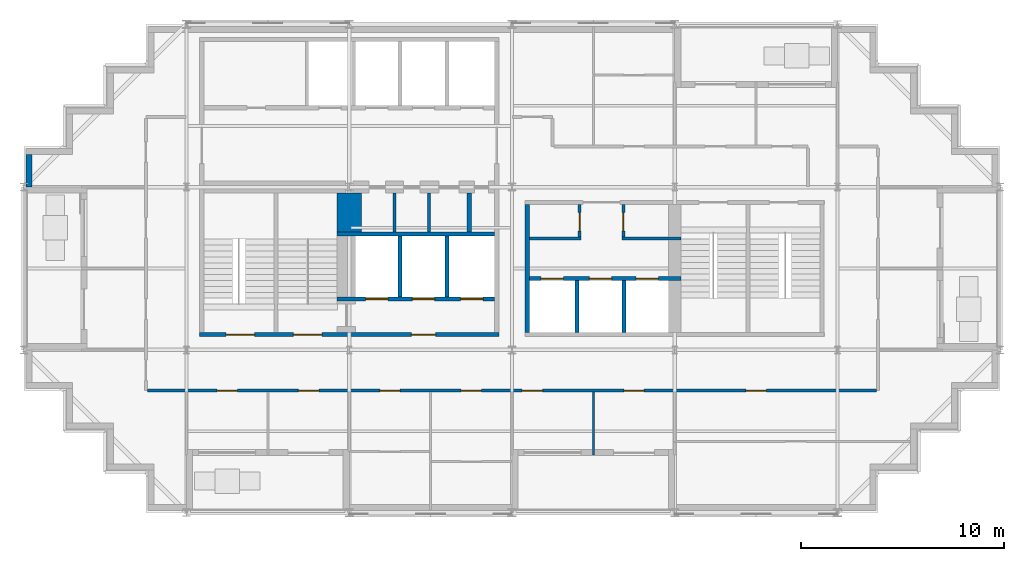
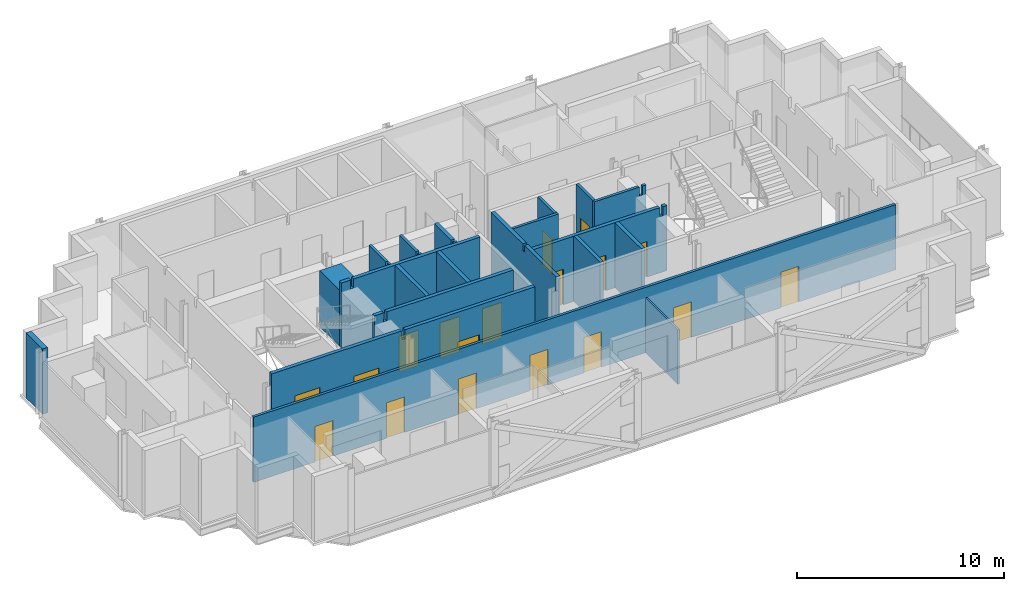
# One storey, part 5 of 10: 20 walls, 18 doors, 18 openings.
"""IFC4 building model written with IfcOpenShell, lengths in metres."""

from ifc_helpers import new_model, si_unit, direction, frame, frame_2d, origin, place, context, subcontext, project, spatial, polyline, rectangle, outline, extrude, material, layer, layer_set, type_object, element, fill, save


model = new_model("IFC4")

# Units and contexts
model_context = context("Model", 3, precision=1e-05, world=origin(), true_north=direction((0.0, 1.0)))
body_context = subcontext(model_context, "Body", "Model", "MODEL_VIEW")
ifc_project = project(units=[si_unit("LENGTHUNIT", "METRE"), si_unit("AREAUNIT", "SQUARE_METRE"), si_unit("VOLUMEUNIT", "CUBIC_METRE"), si_unit("PLANEANGLEUNIT", "RADIAN"), si_unit("MASSUNIT", "GRAM", prefix="KILO")], contexts=[model_context])

# Site, building, storey
site_placement = place(None, origin())
site = spatial("IfcSite", under=ifc_project, at=site_placement, CompositionType="ELEMENT")
building_placement = place(site_placement, origin())
building = spatial("IfcBuilding", under=site, at=building_placement, Name="Immortelle Media Tower", CompositionType="ELEMENT")
storey_placement = place(building_placement, frame((0.0, 0.0, 279.0)))
storey = spatial("IfcBuildingStorey", under=building, at=storey_placement, Name="L61", CompositionType="ELEMENT", Elevation=279.0)

# Walls
ifc_material_1 = material(Name="Fire-rated gypsum board", Category="gypsum")
ifc_layer_1 = layer(ifc_material_1, 0.02490234375)
ifc_material_2 = material(Name="Steel ASTM A653 SS Gr 50 stud frame with mineral wool", Category="steel")
ifc_layer_2 = layer(ifc_material_2, 0.10009765625)
ifc_layer_3 = layer(ifc_material_1, 0.02490234375)
ifc_layer_set_1 = layer_set([ifc_layer_1, ifc_layer_2, ifc_layer_3], Name="Steel ASTM A653 SS Gr 50 stud frame with mineral wool")
wall_type_1 = type_object("IfcWallType", Name="Core partition 150", PredefinedType="PARTITIONING", material=ifc_layer_set_1)
for number, where, z_axis, x_axis, name in (
    (1, (18.22509765625, 13.800048828125, 0.0), (0.0, 0.0, 1.0), (0.0, 1.0, 0.0), "Core partition SW"),
    (2, (19.925048828125, 13.800048828125, 0.0), (0.0, 0.0, 1.0), (0.0, 1.0, 0.0), "Core partition SW"),
):
    element("IfcWall", number, at=place(storey_placement, frame(where, z_axis=z_axis, x_axis=x_axis)), inside=storey, type_object=wall_type_1, Name=name, PredefinedType="PARTITIONING", context=body_context, shape_type="SweptSolid", body=[
        extrude(outline(polyline([(0.0, 0.0), (1.89990234375, 0.0), (1.89990234375, 3.85009765625), (0.27490234375, 3.85009765625), (0.27392578125, 3.43994140625), (0.1259765625, 3.43994140625), (0.125, 3.85009765625), (0.0, 3.85009765625), (0.0, 0.0)])), frame((0.0, 0.074951171875, 0.0), z_axis=(0.0, -1.0, 0.0), x_axis=(1.0, 0.0, 0.0)), (0.0, 0.0, 1.0), 0.14990234375),
    ])
wall_1_placement = place(storey_placement, frame((24.85009765625, 13.47509765625, 0.0), z_axis=(0.0, 0.0, 1.0), x_axis=(1.0, 0.0, 0.0)))
element("IfcWall", 3, at=wall_1_placement, inside=storey, type_object=wall_type_1, Name="Core partition SE", PredefinedType="PARTITIONING", context=body_context, shape_type="SweptSolid", body=[
    extrude(rectangle(XDim=2.5498046875, YDim=0.14990234375, at=frame_2d((1.27490234375, 0.0))), origin(), (0.0, 0.0, 1.0), 3.85009765625),
])

# Wall, opening, door
wall_2_placement = place(storey_placement, frame((27.324951171875, 13.550048828125, 0.0), z_axis=(0.0, 0.0, 1.0), x_axis=(0.0, 1.0, 0.0)))
wall_2 = element("IfcWall", 4, at=wall_2_placement, inside=storey, type_object=wall_type_1, Name="Core partition SE", PredefinedType="PARTITIONING", context=body_context, shape_type="SweptSolid", body=[
    extrude(rectangle(XDim=1.599853515625, YDim=0.14990234375, at=frame_2d((0.7998046875, 0.0))), origin(), (0.0, 0.0, 1.0), 3.85009765625),
])
opening_1_placement = place(wall_2_placement, frame((0.300048828125, 0.0, 0.0)))
opening_1 = element("IfcOpeningElement", 5, at=opening_1_placement, cuts=wall_2, Name="Opening X4-K020", PredefinedType="OPENING", context=body_context, shape_type="SweptSolid", body=[
    extrude(rectangle(XDim=0.89990234375, YDim=2.10009765625, at=frame_2d((0.449951171875, 1.050048828125))), frame((0.0, 0.0849609375, 0.0), z_axis=(0.0, -1.0, 0.0), x_axis=(1.0, 0.0, 0.0)), (0.0, 0.0, 1.0), 0.169921875),
])
ifc_material_3 = material(Name="Galvanised steel door leaf and frame ASTM A653", Category="steel")
door_type_1 = type_object("IfcDoorType", Name="Service door 900 x 2100", OperationType="NOTDEFINED", PredefinedType="NOTDEFINED", material=ifc_material_3)
door_1_placement = place(opening_1_placement, origin())
door_1 = element("IfcDoor", 6, at=door_1_placement, inside=storey, type_object=door_type_1, Name="Service X4-K020", OperationType="SINGLE_SWING_RIGHT", OverallHeight=2.10009765625, OverallWidth=0.89990234375, PredefinedType="NOTDEFINED", context=body_context, shape_type="SweptSolid", body=[
    extrude(rectangle(XDim=0.89990234375, YDim=2.10009765625, at=frame_2d((0.449951171875, 1.050048828125))), frame((0.0, 0.02490234375, 0.0), z_axis=(0.0, -1.0, 0.0), x_axis=(1.0, 0.0, 0.0)), (0.0, 0.0, 1.0), 0.050048828125),
])
fill(opening_1, door_1)

# Wall
wall_3_placement = place(storey_placement, frame((29.39990234375, 13.47509765625, 0.0), z_axis=(0.0, 0.0, 1.0), x_axis=(1.0, 0.0, 0.0)))
element("IfcWall", 7, at=wall_3_placement, inside=storey, type_object=wall_type_1, Name="Core partition SE", PredefinedType="PARTITIONING", context=body_context, shape_type="SweptSolid", body=[
    extrude(outline(polyline([(0.0, 0.0), (2.900146484375, 0.0), (2.89990234375, 3.85009765625), (2.6875, 3.85009765625), (2.6865234375, 3.318115234375), (2.513427734375, 3.318115234375), (2.512451171875, 3.85009765625), (0.0, 3.85009765625), (0.0, 0.0)])), frame((0.0, 0.074951171875, 0.0), z_axis=(0.0, -1.0, 0.0), x_axis=(1.0, 0.0, 0.0)), (0.0, 0.0, 1.0), 0.14990234375),
])

# Wall, opening, door
wall_4_placement = place(storey_placement, frame((29.47509765625, 13.550048828125, 0.0), z_axis=(0.0, 0.0, 1.0), x_axis=(0.0, 1.0, 0.0)))
wall_4 = element("IfcWall", 8, at=wall_4_placement, inside=storey, type_object=wall_type_1, Name="Core partition SE", PredefinedType="PARTITIONING", context=body_context, shape_type="SweptSolid", body=[
    extrude(rectangle(XDim=1.599853515625, YDim=0.14990234375, at=frame_2d((0.7998046875, 0.0))), origin(), (0.0, 0.0, 1.0), 3.85009765625),
])
opening_2_placement = place(wall_4_placement, frame((1.199951171875, 0.0, 0.0), z_axis=(0.0, 0.0, 1.0), x_axis=(-1.0, 0.0, 0.0)))
opening_2 = element("IfcOpeningElement", 9, at=opening_2_placement, cuts=wall_4, Name="Opening X4-K023", PredefinedType="OPENING", context=body_context, shape_type="SweptSolid", body=[
    extrude(rectangle(XDim=0.89990234375, YDim=2.10009765625, at=frame_2d((0.449951171875, 1.050048828125))), frame((0.0, 0.0849609375, 0.0), z_axis=(0.0, -1.0, 0.0), x_axis=(1.0, 0.0, 0.0)), (0.0, 0.0, 1.0), 0.169921875),
])
ifc_material_4 = material(Name="Timber", Category="wood")
door_type_2 = type_object("IfcDoorType", Name="Room door 900 x 2100", OperationType="NOTDEFINED", PredefinedType="NOTDEFINED", material=ifc_material_4)
door_2_placement = place(opening_2_placement, origin())
door_2 = element("IfcDoor", 10, at=door_2_placement, inside=storey, type_object=door_type_2, Name="Room X4-K023", OperationType="SINGLE_SWING_RIGHT", OverallHeight=2.10009765625, OverallWidth=0.89990234375, PredefinedType="NOTDEFINED", context=body_context, shape_type="SweptSolid", body=[
    extrude(rectangle(XDim=0.89990234375, YDim=2.10009765625, at=frame_2d((0.449951171875, 1.050048828125))), frame((0.0, 0.02490234375, 0.0), z_axis=(0.0, -1.0, 0.0), x_axis=(1.0, 0.0, 0.0)), (0.0, 0.0, 1.0), 0.050048828125),
])
fill(opening_2, door_2)

# Wall, openings, doors
ifc_layer_4 = layer(ifc_material_1, 0.03759765625)
ifc_layer_5 = layer(ifc_material_2, 0.125)
ifc_layer_6 = layer(ifc_material_1, 0.03759765625)
ifc_layer_set_2 = layer_set([ifc_layer_4, ifc_layer_5, ifc_layer_6], Name="Steel ASTM A653 SS Gr 50 stud frame with mineral wool")
wall_type_2 = type_object("IfcWallType", Name="Core shaft wall 200", PredefinedType="PARTITIONING", material=ifc_layer_set_2)
wall_5_placement = place(storey_placement, frame((15.39990234375, 10.5, 0.0), z_axis=(0.0, 0.0, 1.0), x_axis=(1.0, 0.0, 0.0)))
wall_5 = element("IfcWall", 11, at=wall_5_placement, inside=storey, type_object=wall_type_2, Name="Core shaft wall SW", PredefinedType="PARTITIONING", context=body_context, shape_type="SweptSolid", body=[
    extrude(outline(polyline([(0.0, 0.0), (7.75, 0.0), (7.75, 3.85009765625), (0.6875, 3.85009765625), (0.6865234375, 3.318115234375), (0.513427734375, 3.318115234375), (0.512451171875, 3.85009765625), (0.0, 3.85009765625), (0.0, 0.0)])), frame((0.0, 0.10009765625, 0.0), z_axis=(0.0, -1.0, 0.0), x_axis=(1.0, 0.0, 0.0)), (0.0, 0.0, 1.0), 0.199951171875),
])
opening_3_placement = place(wall_5_placement, frame((1.39990234375, 0.0, 0.0)))
opening_3 = element("IfcOpeningElement", 12, at=opening_3_placement, cuts=wall_5, Name="Opening LD", PredefinedType="OPENING", context=body_context, shape_type="SweptSolid", body=[
    extrude(rectangle(XDim=1.10009765625, YDim=2.10009765625, at=frame_2d((0.550048828125, 1.050048828125))), frame((0.0, 0.10986328125, 0.0), z_axis=(0.0, -1.0, 0.0), x_axis=(1.0, 0.0, 0.0)), (0.0, 0.0, 1.0), 0.219970703125),
])
opening_4_placement = place(wall_5_placement, frame((3.699951171875, 0.0, 0.0)))
opening_4 = element("IfcOpeningElement", 13, at=opening_4_placement, cuts=wall_5, Name="Opening LD", PredefinedType="OPENING", context=body_context, shape_type="SweptSolid", body=[
    extrude(rectangle(XDim=1.10009765625, YDim=2.10009765625, at=frame_2d((0.550048828125, 1.050048828125))), frame((0.0, 0.10986328125, 0.0), z_axis=(0.0, -1.0, 0.0), x_axis=(1.0, 0.0, 0.0)), (0.0, 0.0, 1.0), 0.219970703125),
])
opening_5_placement = place(wall_5_placement, frame((6.074951171875, 0.0, 0.0)))
opening_5 = element("IfcOpeningElement", 14, at=opening_5_placement, cuts=wall_5, Name="Opening LD", PredefinedType="OPENING", context=body_context, shape_type="SweptSolid", body=[
    extrude(rectangle(XDim=1.10009765625, YDim=2.10009765625, at=frame_2d((0.550048828125, 1.050048828125))), frame((0.0, 0.10986328125, 0.0), z_axis=(0.0, -1.0, 0.0), x_axis=(1.0, 0.0, 0.0)), (0.0, 0.0, 1.0), 0.219970703125),
])
ifc_material_5 = material(Name="Stainless steel AISI 304", Category="steel")
door_type_3 = type_object("IfcDoorType", Name="Landing door 1100 x 2100", OperationType="SLIDING_TO_LEFT", PredefinedType="NOTDEFINED", material=ifc_material_5)
door_3_placement = place(opening_3_placement, origin())
door_3 = element("IfcDoor", 15, at=door_3_placement, inside=storey, type_object=door_type_3, Name="Landing door FF1 L61", OperationType="SLIDING_TO_LEFT", OverallHeight=2.10009765625, OverallWidth=1.10009765625, PredefinedType="NOTDEFINED", context=body_context, shape_type="SweptSolid", body=[
    extrude(rectangle(XDim=1.10009765625, YDim=2.10009765625, at=frame_2d((0.550048828125, 1.050048828125))), frame((0.0, 0.02490234375, 0.0), z_axis=(0.0, -1.0, 0.0), x_axis=(1.0, 0.0, 0.0)), (0.0, 0.0, 1.0), 0.050048828125),
])
fill(opening_3, door_3)
door_4_placement = place(opening_4_placement, origin())
door_4 = element("IfcDoor", 16, at=door_4_placement, inside=storey, type_object=door_type_3, Name="Landing door FF2 L61", OperationType="SLIDING_TO_LEFT", OverallHeight=2.10009765625, OverallWidth=1.10009765625, PredefinedType="NOTDEFINED", context=body_context, shape_type="SweptSolid", body=[
    extrude(rectangle(XDim=1.10009765625, YDim=2.10009765625, at=frame_2d((0.550048828125, 1.050048828125))), frame((0.0, 0.02490234375, 0.0), z_axis=(0.0, -1.0, 0.0), x_axis=(1.0, 0.0, 0.0)), (0.0, 0.0, 1.0), 0.050048828125),
])
fill(opening_4, door_4)
door_5_placement = place(opening_5_placement, origin())
door_5 = element("IfcDoor", 17, at=door_5_placement, inside=storey, type_object=door_type_3, Name="Landing door FF3 L61", OperationType="SLIDING_TO_LEFT", OverallHeight=2.10009765625, OverallWidth=1.10009765625, PredefinedType="NOTDEFINED", context=body_context, shape_type="SweptSolid", body=[
    extrude(rectangle(XDim=1.10009765625, YDim=2.10009765625, at=frame_2d((0.550048828125, 1.050048828125))), frame((0.0, 0.02490234375, 0.0), z_axis=(0.0, -1.0, 0.0), x_axis=(1.0, 0.0, 0.0)), (0.0, 0.0, 1.0), 0.050048828125),
])
fill(opening_5, door_5)

# Walls
wall_6_placement = place(storey_placement, frame((15.39990234375, 13.699951171875, 0.0), z_axis=(0.0, 0.0, 1.0), x_axis=(1.0, 0.0, 0.0)))
element("IfcWall", 18, at=wall_6_placement, inside=storey, type_object=wall_type_2, Name="Core shaft wall SW", PredefinedType="PARTITIONING", context=body_context, shape_type="SweptSolid", body=[
    extrude(outline(polyline([(0.0, 0.0), (7.75, 0.0), (7.75, 3.85009765625), (0.6875, 3.85009765625), (0.6865234375, 3.318115234375), (0.513427734375, 3.318115234375), (0.512451171875, 3.85009765625), (0.0, 3.85009765625), (0.0, 0.0)])), frame((0.0, 0.10009765625, 0.0), z_axis=(0.0, -1.0, 0.0), x_axis=(1.0, 0.0, 0.0)), (0.0, 0.0, 1.0), 0.199951171875),
])
for number, where, z_axis, x_axis, name in (
    (19, (18.5, 10.60009765625, 0.0), (0.0, 0.0, 1.0), (0.0, 1.0, 0.0), "Core shaft wall SW"),
    (20, (20.800048828125, 10.60009765625, 0.0), (0.0, 0.0, 1.0), (0.0, 1.0, 0.0), "Core shaft wall SW"),
):
    element("IfcWall", number, at=place(storey_placement, frame(where, z_axis=z_axis, x_axis=x_axis)), inside=storey, type_object=wall_type_2, Name=name, PredefinedType="PARTITIONING", context=body_context, shape_type="SweptSolid", body=[
        extrude(rectangle(XDim=3.0, YDim=0.199951171875, at=frame_2d((1.5, 0.0))), origin(), (0.0, 0.0, 1.0), 3.85009765625),
    ])
wall_7_placement = place(storey_placement, frame((21.89990234375, 13.800048828125, 0.0), z_axis=(0.0, 0.0, 1.0), x_axis=(0.0, 1.0, 0.0)))
element("IfcWall", 21, at=wall_7_placement, inside=storey, type_object=wall_type_2, Name="Core shaft wall SW", PredefinedType="PARTITIONING", context=body_context, shape_type="SweptSolid", body=[
    extrude(outline(polyline([(0.0, 0.0), (1.89990234375, 0.0), (1.89990234375, 3.85009765625), (0.27490234375, 3.85009765625), (0.27392578125, 3.43994140625), (0.1259765625, 3.43994140625), (0.125, 3.85009765625), (0.0, 3.85009765625), (0.0, 0.0)])), frame((0.0, 0.10009765625, 0.0), z_axis=(0.0, -1.0, 0.0), x_axis=(1.0, 0.0, 0.0)), (0.0, 0.0, 1.0), 0.199951171875),
])
wall_8_placement = place(storey_placement, frame((24.75, 8.85009765625, 0.0), z_axis=(0.0, 0.0, 1.0), x_axis=(0.0, 1.0, 0.0)))
element("IfcWall", 22, at=wall_8_placement, inside=storey, type_object=wall_type_2, Name="Core shaft wall SE", PredefinedType="PARTITIONING", context=body_context, shape_type="SweptSolid", body=[
    extrude(outline(polyline([(0.0, 0.0), (6.2998046875, 0.0), (6.300048828125, 3.85009765625), (3.22509765625, 3.85009765625), (3.22412109375, 3.43994140625), (3.075927734375, 3.43994140625), (3.074951171875, 3.85009765625), (0.0, 3.85009765625), (0.0, 0.0)])), frame((0.0, 0.10009765625, 0.0), z_axis=(0.0, -1.0, 0.0), x_axis=(1.0, 0.0, 0.0)), (0.0, 0.0, 1.0), 0.199951171875),
])

# Wall, openings, doors
wall_9_placement = place(storey_placement, frame((24.85009765625, 11.5, 0.0), z_axis=(0.0, 0.0, 1.0), x_axis=(1.0, 0.0, 0.0)))
wall_9 = element("IfcWall", 23, at=wall_9_placement, inside=storey, type_object=wall_type_2, Name="Core shaft wall SE", PredefinedType="PARTITIONING", context=body_context, shape_type="SweptSolid", body=[
    extrude(outline(polyline([(0.0, 0.0), (7.449951171875, 0.0), (7.449951171875, 3.85009765625), (7.237548828125, 3.85009765625), (7.236572265625, 3.318115234375), (7.0634765625, 3.318115234375), (7.0625, 3.85009765625), (0.0, 3.85009765625), (0.0, 0.0)])), frame((0.0, 0.10009765625, 0.0), z_axis=(0.0, -1.0, 0.0), x_axis=(1.0, 0.0, 0.0)), (0.0, 0.0, 1.0), 0.199951171875),
])
opening_6_placement = place(wall_9_placement, frame((0.574951171875, 0.0, 0.0)))
opening_6 = element("IfcOpeningElement", 24, at=opening_6_placement, cuts=wall_9, Name="Opening LD", PredefinedType="OPENING", context=body_context, shape_type="SweptSolid", body=[
    extrude(rectangle(XDim=1.10009765625, YDim=2.10009765625, at=frame_2d((0.550048828125, 1.050048828125))), frame((0.0, 0.10986328125, 0.0), z_axis=(0.0, -1.0, 0.0), x_axis=(1.0, 0.0, 0.0)), (0.0, 0.0, 1.0), 0.219970703125),
])
opening_7_placement = place(wall_9_placement, frame((2.949951171875, 0.0, 0.0)))
opening_7 = element("IfcOpeningElement", 25, at=opening_7_placement, cuts=wall_9, Name="Opening LD", PredefinedType="OPENING", context=body_context, shape_type="SweptSolid", body=[
    extrude(rectangle(XDim=1.10009765625, YDim=2.10009765625, at=frame_2d((0.550048828125, 1.050048828125))), frame((0.0, 0.10986328125, 0.0), z_axis=(0.0, -1.0, 0.0), x_axis=(1.0, 0.0, 0.0)), (0.0, 0.0, 1.0), 0.219970703125),
])
opening_8_placement = place(wall_9_placement, frame((5.25, 0.0, 0.0)))
opening_8 = element("IfcOpeningElement", 26, at=opening_8_placement, cuts=wall_9, Name="Opening LD", PredefinedType="OPENING", context=body_context, shape_type="SweptSolid", body=[
    extrude(rectangle(XDim=1.10009765625, YDim=2.10009765625, at=frame_2d((0.550048828125, 1.050048828125))), frame((0.0, 0.10986328125, 0.0), z_axis=(0.0, -1.0, 0.0), x_axis=(1.0, 0.0, 0.0)), (0.0, 0.0, 1.0), 0.219970703125),
])
door_6_placement = place(opening_6_placement, origin())
door_6 = element("IfcDoor", 27, at=door_6_placement, inside=storey, type_object=door_type_3, Name="Landing door HS1 L61", OperationType="SLIDING_TO_LEFT", OverallHeight=2.10009765625, OverallWidth=1.10009765625, PredefinedType="NOTDEFINED", context=body_context, shape_type="SweptSolid", body=[
    extrude(rectangle(XDim=1.10009765625, YDim=2.10009765625, at=frame_2d((0.550048828125, 1.050048828125))), frame((0.0, 0.02490234375, 0.0), z_axis=(0.0, -1.0, 0.0), x_axis=(1.0, 0.0, 0.0)), (0.0, 0.0, 1.0), 0.050048828125),
])
fill(opening_6, door_6)
door_7_placement = place(opening_7_placement, origin())
door_7 = element("IfcDoor", 28, at=door_7_placement, inside=storey, type_object=door_type_3, Name="Landing door HS2 L61", OperationType="SLIDING_TO_LEFT", OverallHeight=2.10009765625, OverallWidth=1.10009765625, PredefinedType="NOTDEFINED", context=body_context, shape_type="SweptSolid", body=[
    extrude(rectangle(XDim=1.10009765625, YDim=2.10009765625, at=frame_2d((0.550048828125, 1.050048828125))), frame((0.0, 0.02490234375, 0.0), z_axis=(0.0, -1.0, 0.0), x_axis=(1.0, 0.0, 0.0)), (0.0, 0.0, 1.0), 0.050048828125),
])
fill(opening_7, door_7)
door_8_placement = place(opening_8_placement, origin())
door_8 = element("IfcDoor", 29, at=door_8_placement, inside=storey, type_object=door_type_3, Name="Landing door HS3 L61", OperationType="SLIDING_TO_LEFT", OverallHeight=2.10009765625, OverallWidth=1.10009765625, PredefinedType="NOTDEFINED", context=body_context, shape_type="SweptSolid", body=[
    extrude(rectangle(XDim=1.10009765625, YDim=2.10009765625, at=frame_2d((0.550048828125, 1.050048828125))), frame((0.0, 0.02490234375, 0.0), z_axis=(0.0, -1.0, 0.0), x_axis=(1.0, 0.0, 0.0)), (0.0, 0.0, 1.0), 0.050048828125),
])
fill(opening_8, door_8)

# Walls
for number, where, z_axis, x_axis, name in (
    (30, (27.199951171875, 8.85009765625, 0.0), (0.0, 0.0, 1.0), (0.0, 1.0, 0.0), "Core shaft wall SE"),
    (31, (29.5, 8.85009765625, 0.0), (0.0, 0.0, 1.0), (0.0, 1.0, 0.0), "Core shaft wall SE"),
):
    element("IfcWall", number, at=place(storey_placement, frame(where, z_axis=z_axis, x_axis=x_axis)), inside=storey, type_object=wall_type_2, Name=name, PredefinedType="PARTITIONING", context=body_context, shape_type="SweptSolid", body=[
        extrude(rectangle(XDim=2.5498046875, YDim=0.199951171875, at=frame_2d((1.27490234375, 0.0))), origin(), (0.0, 0.0, 1.0), 3.85009765625),
    ])

# Wall, openings, doors
ifc_layer_7 = layer(ifc_material_1, 0.012451171875)
ifc_layer_8 = layer(ifc_material_2, 0.125)
ifc_layer_9 = layer(ifc_material_1, 0.012451171875)
ifc_layer_set_3 = layer_set([ifc_layer_7, ifc_layer_8, ifc_layer_9], Name="Steel ASTM A653 SS Gr 50 stud frame with mineral wool")
wall_type_3 = type_object("IfcWallType", Name="Corridor wall 150", PredefinedType="PARTITIONING", material=ifc_layer_set_3)
wall_10_placement = place(storey_placement, frame((6.074951171875, 6.0, 0.0), z_axis=(0.0, 0.0, 1.0), x_axis=(1.0, 0.0, 0.0)))
wall_10 = element("IfcWall", 32, at=wall_10_placement, inside=storey, type_object=wall_type_3, Name="Partition L61-014", PredefinedType="PARTITIONING", context=body_context, shape_type="SweptSolid", body=[
    extrude(rectangle(XDim=35.85009765625, YDim=0.14990234375, at=frame_2d((17.925048828125, 0.0))), origin(), (0.0, 0.0, 1.0), 3.85009765625),
])
opening_9_placement = place(wall_10_placement, frame((12.425048828125, 0.0, 0.0), z_axis=(0.0, 0.0, 1.0), x_axis=(-1.0, 0.0, 0.0)))
opening_9 = element("IfcOpeningElement", 33, at=opening_9_placement, cuts=wall_10, Name="Opening X4-F001", PredefinedType="OPENING", context=body_context, shape_type="SweptSolid", body=[
    extrude(rectangle(XDim=1.0, YDim=2.10009765625, at=frame_2d((0.5, 1.050048828125))), frame((0.0, 0.0849609375, 0.0), z_axis=(0.0, -1.0, 0.0), x_axis=(1.0, 0.0, 0.0)), (0.0, 0.0, 1.0), 0.169921875),
])
opening_10_placement = place(wall_10_placement, frame((16.425048828125, 0.0, 0.0), z_axis=(0.0, 0.0, 1.0), x_axis=(-1.0, 0.0, 0.0)))
opening_10 = element("IfcOpeningElement", 34, at=opening_10_placement, cuts=wall_10, Name="Opening X4-F003", PredefinedType="OPENING", context=body_context, shape_type="SweptSolid", body=[
    extrude(rectangle(XDim=1.0, YDim=2.10009765625, at=frame_2d((0.5, 1.050048828125))), frame((0.0, 0.0849609375, 0.0), z_axis=(0.0, -1.0, 0.0), x_axis=(1.0, 0.0, 0.0)), (0.0, 0.0, 1.0), 0.169921875),
])
opening_11_placement = place(wall_10_placement, frame((30.425048828125, 0.0, 0.0), z_axis=(0.0, 0.0, 1.0), x_axis=(-1.0, 0.0, 0.0)))
opening_11 = element("IfcOpeningElement", 35, at=opening_11_placement, cuts=wall_10, Name="Opening X4-F005", PredefinedType="OPENING", context=body_context, shape_type="SweptSolid", body=[
    extrude(rectangle(XDim=1.0, YDim=2.10009765625, at=frame_2d((0.5, 1.050048828125))), frame((0.0, 0.0849609375, 0.0), z_axis=(0.0, -1.0, 0.0), x_axis=(1.0, 0.0, 0.0)), (0.0, 0.0, 1.0), 0.169921875),
])
opening_12_placement = place(wall_10_placement, frame((4.425048828125, 0.0, 0.0), z_axis=(0.0, 0.0, 1.0), x_axis=(-1.0, 0.0, 0.0)))
opening_12 = element("IfcOpeningElement", 36, at=opening_12_placement, cuts=wall_10, Name="Opening X4-F007", PredefinedType="OPENING", context=body_context, shape_type="SweptSolid", body=[
    extrude(rectangle(XDim=1.0, YDim=2.10009765625, at=frame_2d((0.5, 1.050048828125))), frame((0.0, 0.0849609375, 0.0), z_axis=(0.0, -1.0, 0.0), x_axis=(1.0, 0.0, 0.0)), (0.0, 0.0, 1.0), 0.169921875),
])
opening_13_placement = place(wall_10_placement, frame((8.425048828125, 0.0, 0.0), z_axis=(0.0, 0.0, 1.0), x_axis=(-1.0, 0.0, 0.0)))
opening_13 = element("IfcOpeningElement", 37, at=opening_13_placement, cuts=wall_10, Name="Opening X4-F008", PredefinedType="OPENING", context=body_context, shape_type="SweptSolid", body=[
    extrude(rectangle(XDim=1.0, YDim=2.10009765625, at=frame_2d((0.5, 1.050048828125))), frame((0.0, 0.0849609375, 0.0), z_axis=(0.0, -1.0, 0.0), x_axis=(1.0, 0.0, 0.0)), (0.0, 0.0, 1.0), 0.169921875),
])
opening_14_placement = place(wall_10_placement, frame((19.425048828125, 0.0, 0.0), z_axis=(0.0, 0.0, 1.0), x_axis=(-1.0, 0.0, 0.0)))
opening_14 = element("IfcOpeningElement", 38, at=opening_14_placement, cuts=wall_10, Name="Opening X4-F009", PredefinedType="OPENING", context=body_context, shape_type="SweptSolid", body=[
    extrude(rectangle(XDim=1.0, YDim=2.10009765625, at=frame_2d((0.5, 1.050048828125))), frame((0.0, 0.0849609375, 0.0), z_axis=(0.0, -1.0, 0.0), x_axis=(1.0, 0.0, 0.0)), (0.0, 0.0, 1.0), 0.169921875),
])
opening_15_placement = place(wall_10_placement, frame((24.425048828125, 0.0, 0.0), z_axis=(0.0, 0.0, 1.0), x_axis=(-1.0, 0.0, 0.0)))
opening_15 = element("IfcOpeningElement", 39, at=opening_15_placement, cuts=wall_10, Name="Opening X4-F010", PredefinedType="OPENING", context=body_context, shape_type="SweptSolid", body=[
    extrude(rectangle(XDim=1.0, YDim=2.10009765625, at=frame_2d((0.5, 1.050048828125))), frame((0.0, 0.0849609375, 0.0), z_axis=(0.0, -1.0, 0.0), x_axis=(1.0, 0.0, 0.0)), (0.0, 0.0, 1.0), 0.169921875),
])
ifc_material_6 = material(Name="Timber veneered door leaf, galvanised steel frame ASTM A653", Category="steel")
door_type_4 = type_object("IfcDoorType", Name="Room door 1000 x 2100", OperationType="NOTDEFINED", PredefinedType="DOOR", material=ifc_material_6)
door_9_placement = place(opening_9_placement, origin())
door_9 = element("IfcDoor", 40, at=door_9_placement, inside=storey, type_object=door_type_4, Name="Door X4-F001", OperationType="SINGLE_SWING_LEFT", OverallHeight=2.10009765625, OverallWidth=1.0, PredefinedType="DOOR", context=body_context, shape_type="SweptSolid", body=[
    extrude(rectangle(XDim=1.0, YDim=2.10009765625, at=frame_2d((0.5, 1.050048828125))), frame((0.0, 0.02490234375, 0.0), z_axis=(0.0, -1.0, 0.0), x_axis=(1.0, 0.0, 0.0)), (0.0, 0.0, 1.0), 0.050048828125),
])
fill(opening_9, door_9)
door_10_placement = place(opening_10_placement, origin())
door_10 = element("IfcDoor", 41, at=door_10_placement, inside=storey, type_object=door_type_4, Name="Door X4-F003", OperationType="SINGLE_SWING_RIGHT", OverallHeight=2.10009765625, OverallWidth=1.0, PredefinedType="DOOR", context=body_context, shape_type="SweptSolid", body=[
    extrude(rectangle(XDim=1.0, YDim=2.10009765625, at=frame_2d((0.5, 1.050048828125))), frame((0.0, 0.02490234375, 0.0), z_axis=(0.0, -1.0, 0.0), x_axis=(1.0, 0.0, 0.0)), (0.0, 0.0, 1.0), 0.050048828125),
])
fill(opening_10, door_10)
door_11_placement = place(opening_11_placement, origin())
door_11 = element("IfcDoor", 42, at=door_11_placement, inside=storey, type_object=door_type_4, Name="Door X4-F005", OperationType="SINGLE_SWING_RIGHT", OverallHeight=2.10009765625, OverallWidth=1.0, PredefinedType="DOOR", context=body_context, shape_type="SweptSolid", body=[
    extrude(rectangle(XDim=1.0, YDim=2.10009765625, at=frame_2d((0.5, 1.050048828125))), frame((0.0, 0.02490234375, 0.0), z_axis=(0.0, -1.0, 0.0), x_axis=(1.0, 0.0, 0.0)), (0.0, 0.0, 1.0), 0.050048828125),
])
fill(opening_11, door_11)
door_12_placement = place(opening_12_placement, origin())
door_12 = element("IfcDoor", 43, at=door_12_placement, inside=storey, type_object=door_type_4, Name="Door X4-F007", OperationType="SINGLE_SWING_LEFT", OverallHeight=2.10009765625, OverallWidth=1.0, PredefinedType="DOOR", context=body_context, shape_type="SweptSolid", body=[
    extrude(rectangle(XDim=1.0, YDim=2.10009765625, at=frame_2d((0.5, 1.050048828125))), frame((0.0, 0.02490234375, 0.0), z_axis=(0.0, -1.0, 0.0), x_axis=(1.0, 0.0, 0.0)), (0.0, 0.0, 1.0), 0.050048828125),
])
fill(opening_12, door_12)
door_13_placement = place(opening_13_placement, origin())
door_13 = element("IfcDoor", 44, at=door_13_placement, inside=storey, type_object=door_type_4, Name="Door X4-F008", OperationType="SINGLE_SWING_LEFT", OverallHeight=2.10009765625, OverallWidth=1.0, PredefinedType="DOOR", context=body_context, shape_type="SweptSolid", body=[
    extrude(rectangle(XDim=1.0, YDim=2.10009765625, at=frame_2d((0.5, 1.050048828125))), frame((0.0, 0.02490234375, 0.0), z_axis=(0.0, -1.0, 0.0), x_axis=(1.0, 0.0, 0.0)), (0.0, 0.0, 1.0), 0.050048828125),
])
fill(opening_13, door_13)
door_14_placement = place(opening_14_placement, origin())
door_14 = element("IfcDoor", 45, at=door_14_placement, inside=storey, type_object=door_type_4, Name="Door X4-F009", OperationType="SINGLE_SWING_RIGHT", OverallHeight=2.10009765625, OverallWidth=1.0, PredefinedType="DOOR", context=body_context, shape_type="SweptSolid", body=[
    extrude(rectangle(XDim=1.0, YDim=2.10009765625, at=frame_2d((0.5, 1.050048828125))), frame((0.0, 0.02490234375, 0.0), z_axis=(0.0, -1.0, 0.0), x_axis=(1.0, 0.0, 0.0)), (0.0, 0.0, 1.0), 0.050048828125),
])
fill(opening_14, door_14)
door_15_placement = place(opening_15_placement, origin())
door_15 = element("IfcDoor", 46, at=door_15_placement, inside=storey, type_object=door_type_4, Name="Door X4-F010", OperationType="SINGLE_SWING_RIGHT", OverallHeight=2.10009765625, OverallWidth=1.0, PredefinedType="DOOR", context=body_context, shape_type="SweptSolid", body=[
    extrude(rectangle(XDim=1.0, YDim=2.10009765625, at=frame_2d((0.5, 1.050048828125))), frame((0.0, 0.02490234375, 0.0), z_axis=(0.0, -1.0, 0.0), x_axis=(1.0, 0.0, 0.0)), (0.0, 0.0, 1.0), 0.050048828125),
])
fill(opening_15, door_15)

# Walls
ifc_material_7 = material(Name="Pale aluminium cladding panel", Category="aluminium")
ifc_layer_10 = layer(ifc_material_7, 0.030029296875)
ifc_layer_11 = layer(ifc_material_2, 0.257568359375)
ifc_material_8 = material(Name="Moisture-resistant gypsum board", Category="gypsum")
ifc_layer_12 = layer(ifc_material_8, 0.012451171875)
ifc_layer_set_4 = layer_set([ifc_layer_10, ifc_layer_11, ifc_layer_12], Name="Steel ASTM A653 SS Gr 50 stud frame with mineral wool")
wall_type_4 = type_object("IfcWallType", Name="Facade wall 300", PredefinedType="SOLIDWALL", material=ifc_layer_set_4)
wall_11_placement = place(storey_placement, frame((0.25, 17.60009765625, 0.0), z_axis=(0.0, 0.0, 1.0), x_axis=(0.0, -1.0, 0.0)))
element("IfcWall", 47, at=wall_11_placement, inside=storey, type_object=wall_type_4, Name="Facade wall L61 W27", PredefinedType="SOLIDWALL", context=body_context, shape_type="SweptSolid", body=[
    extrude(rectangle(XDim=1.60009765625, YDim=0.300048828125, at=frame_2d((0.800048828125, 0.0))), origin(), (0.0, 0.0, 1.0), 3.85009765625),
])
ifc_material_9 = material(Name="Gypsum board", Category="gypsum")
ifc_layer_13 = layer(ifc_material_9, 0.012451171875)
ifc_layer_14 = layer(ifc_material_2, 0.074951171875)
ifc_layer_15 = layer(ifc_material_9, 0.012451171875)
ifc_layer_set_5 = layer_set([ifc_layer_13, ifc_layer_14, ifc_layer_15], Name="Steel ASTM A653 SS Gr 50 stud frame with mineral wool")
wall_type_5 = type_object("IfcWallType", Name="Partition 100", PredefinedType="PARTITIONING", material=ifc_layer_set_5)
wall_12_placement = place(storey_placement, frame((28.0, 2.830078125, 0.0), z_axis=(0.0, 0.0, 1.0), x_axis=(0.0, 1.0, 0.0)))
element("IfcWall", 48, at=wall_12_placement, inside=storey, type_object=wall_type_5, Name="Partition L61-007", PredefinedType="PARTITIONING", context=body_context, shape_type="SweptSolid", body=[
    extrude(rectangle(XDim=3.094970703125, YDim=0.10009765625, at=frame_2d((1.54736328125, 0.0))), origin(), (0.0, 0.0, 1.0), 3.238037109375),
])
ifc_material_10 = material(Name="Concrete C60", Category="concrete")
ifc_layer_16 = layer(ifc_material_10, 1.199951171875)
ifc_layer_set_6 = layer_set([ifc_layer_16], Name="Concrete C60")
wall_type_6 = type_object("IfcWallType", Name="Stair shaft wall 1200", PredefinedType="PARTITIONING", material=ifc_layer_set_6)
wall_13_placement = place(storey_placement, frame((16.0, 13.800048828125, 0.0), z_axis=(0.0, 0.0, 1.0), x_axis=(0.0, 1.0, 0.0)))
element("IfcWall", 49, at=wall_13_placement, inside=storey, type_object=wall_type_6, Name="Stair shaft wall SW", PredefinedType="PARTITIONING", context=body_context, shape_type="SweptSolid", body=[
    extrude(rectangle(XDim=1.89990234375, YDim=1.199951171875, at=frame_2d((0.949951171875, 0.0))), origin(), (0.0, 0.0, 1.0), 3.318115234375),
])

# Wall, openings, doors
ifc_layer_17 = layer(ifc_material_10, 0.199951171875)
ifc_layer_set_7 = layer_set([ifc_layer_17], Name="Concrete C60")
wall_type_7 = type_object("IfcWallType", Name="Stair shaft wall 200", PredefinedType="PARTITIONING", material=ifc_layer_set_7)
wall_14_placement = place(storey_placement, frame((8.64990234375, 8.75, 0.0), z_axis=(0.0, 0.0, 1.0), x_axis=(1.0, 0.0, 0.0)))
wall_14 = element("IfcWall", 50, at=wall_14_placement, inside=storey, type_object=wall_type_7, Name="Stair shaft wall SW", PredefinedType="PARTITIONING", context=body_context, shape_type="SweptSolid", body=[
    extrude(outline(polyline([(0.0, 0.0), (14.7001953125, 0.0), (14.699951171875, 3.85009765625), (7.4375, 3.85009765625), (7.4365234375, 3.318115234375), (7.263427734375, 3.318115234375), (7.262451171875, 3.85009765625), (0.0, 3.85009765625), (0.0, 0.0)])), frame((0.0, 0.10009765625, 0.0), z_axis=(0.0, -1.0, 0.0), x_axis=(1.0, 0.0, 0.0)), (0.0, 0.0, 1.0), 0.199951171875),
])
opening_16_placement = place(wall_14_placement, frame((1.300048828125, 0.0, 0.0)))
opening_16 = element("IfcOpeningElement", 51, at=opening_16_placement, cuts=wall_14, Name="Opening X4-K002", PredefinedType="OPENING", context=body_context, shape_type="SweptSolid", body=[
    extrude(rectangle(XDim=1.39990234375, YDim=2.10009765625, at=frame_2d((0.699951171875, 1.050048828125))), frame((0.0, 0.10986328125, 0.0), z_axis=(0.0, -1.0, 0.0), x_axis=(1.0, 0.0, 0.0)), (0.0, 0.0, 1.0), 0.219970703125),
])
opening_17_placement = place(wall_14_placement, frame((4.60009765625, 0.0, 0.0)))
opening_17 = element("IfcOpeningElement", 52, at=opening_17_placement, cuts=wall_14, Name="Opening X4-K004", PredefinedType="OPENING", context=body_context, shape_type="SweptSolid", body=[
    extrude(rectangle(XDim=1.39990234375, YDim=2.10009765625, at=frame_2d((0.699951171875, 1.050048828125))), frame((0.0, 0.10986328125, 0.0), z_axis=(0.0, -1.0, 0.0), x_axis=(1.0, 0.0, 0.0)), (0.0, 0.0, 1.0), 0.219970703125),
])
opening_18_placement = place(wall_14_placement, frame((10.39990234375, 0.0, 0.0)))
opening_18 = element("IfcOpeningElement", 53, at=opening_18_placement, cuts=wall_14, Name="Opening X4-K011", PredefinedType="OPENING", context=body_context, shape_type="SweptSolid", body=[
    extrude(rectangle(XDim=1.199951171875, YDim=2.10009765625, at=frame_2d((0.60009765625, 1.050048828125))), frame((0.0, 0.10986328125, 0.0), z_axis=(0.0, -1.0, 0.0), x_axis=(1.0, 0.0, 0.0)), (0.0, 0.0, 1.0), 0.219970703125),
])
door_type_5 = type_object("IfcDoorType", Name="Fire-fighting lobby door 1200 x 2100", OperationType="NOTDEFINED", PredefinedType="NOTDEFINED", material=ifc_material_3)
door_16_placement = place(opening_18_placement, origin())
door_16 = element("IfcDoor", 54, at=door_16_placement, inside=storey, type_object=door_type_5, Name="Fire-fighting lobby X4-K011", OperationType="SINGLE_SWING_LEFT", OverallHeight=2.10009765625, OverallWidth=1.199951171875, PredefinedType="NOTDEFINED", context=body_context, shape_type="SweptSolid", body=[
    extrude(rectangle(XDim=1.199951171875, YDim=2.10009765625, at=frame_2d((0.60009765625, 1.050048828125))), frame((0.0, 0.02490234375, 0.0), z_axis=(0.0, -1.0, 0.0), x_axis=(1.0, 0.0, 0.0)), (0.0, 0.0, 1.0), 0.050048828125),
])
fill(opening_18, door_16)
door_type_6 = type_object("IfcDoorType", Name="Stair door 1400 x 2100", OperationType="DOUBLE_DOOR_SINGLE_SWING", PredefinedType="NOTDEFINED", material=ifc_material_3)
door_17_placement = place(opening_16_placement, origin())
door_17 = element("IfcDoor", 55, at=door_17_placement, inside=storey, type_object=door_type_6, Name="Stair X4-K002", OperationType="DOUBLE_DOOR_SINGLE_SWING", OverallHeight=2.10009765625, OverallWidth=1.39990234375, PredefinedType="NOTDEFINED", context=body_context, shape_type="SweptSolid", body=[
    extrude(rectangle(XDim=1.39990234375, YDim=2.10009765625, at=frame_2d((0.699951171875, 1.050048828125))), frame((0.0, 0.02490234375, 0.0), z_axis=(0.0, -1.0, 0.0), x_axis=(1.0, 0.0, 0.0)), (0.0, 0.0, 1.0), 0.050048828125),
])
fill(opening_16, door_17)
door_18_placement = place(opening_17_placement, origin())
door_18 = element("IfcDoor", 56, at=door_18_placement, inside=storey, type_object=door_type_6, Name="Stair X4-K004", OperationType="DOUBLE_DOOR_SINGLE_SWING", OverallHeight=2.10009765625, OverallWidth=1.39990234375, PredefinedType="NOTDEFINED", context=body_context, shape_type="SweptSolid", body=[
    extrude(rectangle(XDim=1.39990234375, YDim=2.10009765625, at=frame_2d((0.699951171875, 1.050048828125))), frame((0.0, 0.02490234375, 0.0), z_axis=(0.0, -1.0, 0.0), x_axis=(1.0, 0.0, 0.0)), (0.0, 0.0, 1.0), 0.050048828125),
])
fill(opening_17, door_18)

save(model, "model.ifc")
